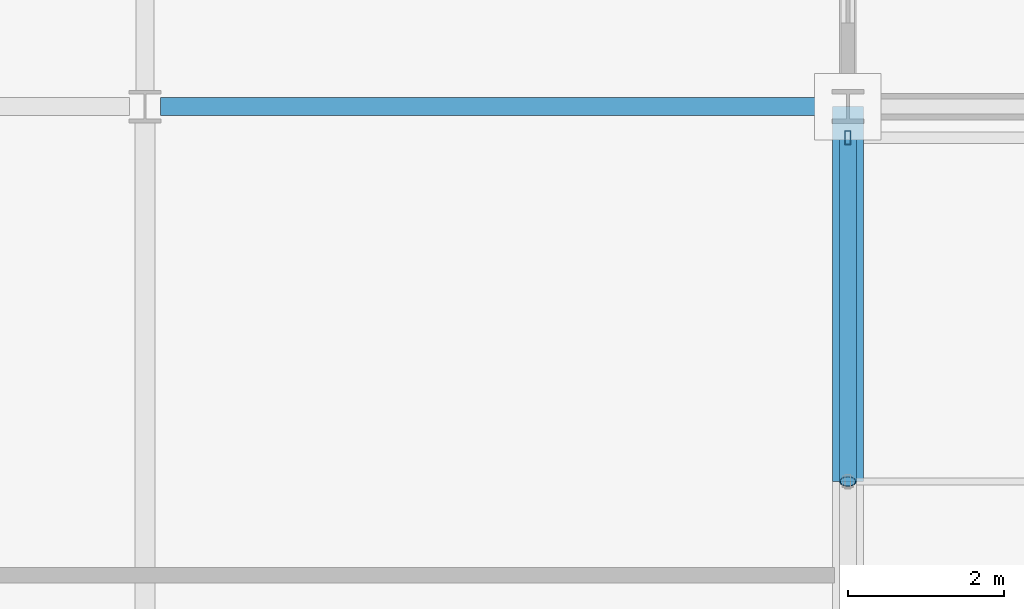
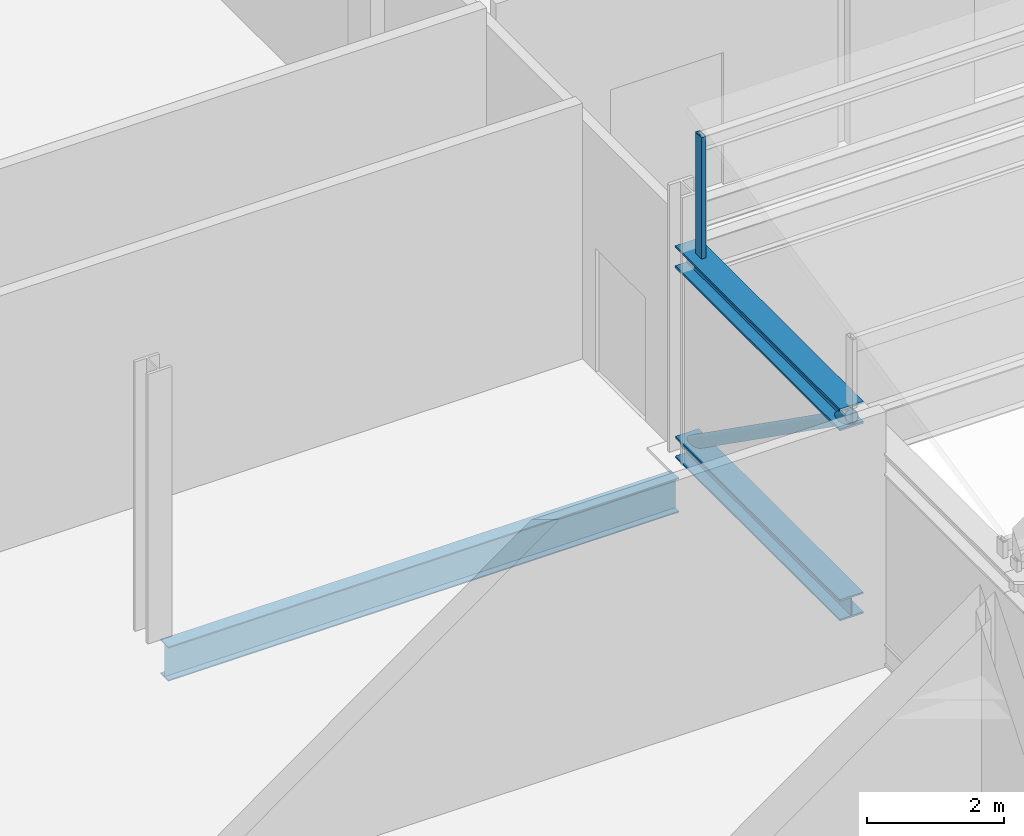
# One storey, part 44 of 136: 3 beams, 2 members.
"""IFC4 building model written with IfcOpenShell, lengths in metres."""

from ifc_helpers import new_model, si_unit, direction, frame, origin, origin_2d, place, context, subcontext, project, spatial, hollow_rectangle, hollow_circle, i_section, extrude, material, material_profile, profile_set, type_object, element, save


model = new_model("IFC4")

# Units and contexts
model_context = context("Model", 3, precision=1e-05, world=origin(), true_north=direction((0.0, 1.0)))
body_context = subcontext(model_context, "Body", "Model", "MODEL_VIEW")
ifc_project = project(units=[si_unit("LENGTHUNIT", "METRE"), si_unit("AREAUNIT", "SQUARE_METRE"), si_unit("VOLUMEUNIT", "CUBIC_METRE"), si_unit("PLANEANGLEUNIT", "RADIAN"), si_unit("MASSUNIT", "GRAM", prefix="KILO")], contexts=[model_context])

# Site, building, storey
site_placement = place(None, origin())
site = spatial("IfcSite", under=ifc_project, at=site_placement, CompositionType="ELEMENT")
building_placement = place(site_placement, origin())
building = spatial("IfcBuilding", under=site, at=building_placement, Name="Kisiwana Market Hall", CompositionType="ELEMENT")
storey_placement = place(building_placement, frame((0.0, 0.0, 16.800048828125)))
storey = spatial("IfcBuildingStorey", under=building, at=storey_placement, Name="L03", CompositionType="ELEMENT", Elevation=16.800048828125)

# Beams
ifc_material_1 = material(Name="Steel S355", Category="steel")
ifc_material_profile_1 = material_profile(ifc_material_1, i_section(OverallWidth=0.22900390625, OverallDepth=0.6123046875, WebThickness=0.011962890625, FlangeThickness=0.01953125, at=origin_2d()), Name="UB 610x229x125")
ifc_profile_set_1 = profile_set([ifc_material_profile_1], Name="Steel S355")
beam_type_1 = type_object("IfcBeamType", Name="BM-GIRD-UB610H", PredefinedType="BEAM", material=ifc_profile_set_1)
beam_1_placement = place(storey_placement, frame((36.198974609375, 84.0, -0.55615234375), z_axis=(1.0, 0.0, 0.0), x_axis=(0.0, 1.0, 0.0)))
element("IfcBeam", 1, at=beam_1_placement, inside=storey, type_object=beam_type_1, Name="Floor beam B-1028", PredefinedType="BEAM", context=body_context, shape_type="SweptSolid", body=[
    extrude(i_section(OverallWidth=0.22900390625, OverallDepth=0.6123046875, WebThickness=0.011962890625, FlangeThickness=0.01953125, at=origin_2d()), origin(), (0.0, 0.0, 1.0), 8.59912109375),
])
ifc_material_2 = material(Name="Steel S355", Category="steel")
ifc_material_profile_2 = material_profile(ifc_material_2, i_section(OverallWidth=0.394775390625, OverallDepth=0.381103515625, WebThickness=0.018310546875, FlangeThickness=0.0302734375, at=origin_2d()), Name="UC 356x406x235")
ifc_profile_set_2 = profile_set([ifc_material_profile_2], Name="Steel S355")
beam_type_2 = type_object("IfcBeamType", Name="BM-TRUSS-BOT", PredefinedType="USERDEFINED", material=ifc_profile_set_2)
beam_2_placement = place(storey_placement, frame((45.0, 79.199951171875, 0.22998046875), z_axis=(0.0, 1.0, 0.0), x_axis=(-1.0, 0.0, 0.0)))
element("IfcBeam", 2, at=beam_2_placement, inside=storey, type_object=beam_type_2, Name="TR-01 BC panel 10 B-1178", ObjectType="ROOF TRUSS", PredefinedType="USERDEFINED", context=body_context, shape_type="SweptSolid", body=[
    extrude(i_section(OverallWidth=0.394775390625, OverallDepth=0.381103515625, WebThickness=0.018310546875, FlangeThickness=0.0302734375, at=origin_2d()), origin(), (0.0, 0.0, 1.0), 4.800048828125),
])
ifc_material_3 = material(Name="Steel S355", Category="steel")
ifc_material_profile_3 = material_profile(ifc_material_3, i_section(OverallWidth=0.39892578125, OverallDepth=0.3935546875, WebThickness=0.022705078125, FlangeThickness=0.03662109375, at=origin_2d()), Name="UC 356x406x287")
ifc_profile_set_3 = profile_set([ifc_material_profile_3], Name="Steel S355")
beam_type_3 = type_object("IfcBeamType", Name="BM-TRUSS-TOP", PredefinedType="USERDEFINED", material=ifc_profile_set_3)
beam_3_placement = place(storey_placement, frame((45.0, 79.199951171875, 3.619873046875), z_axis=(0.0, 1.0, 0.0), x_axis=(-1.0, 0.0, 0.0)))
element("IfcBeam", 3, at=beam_3_placement, inside=storey, type_object=beam_type_3, Name="TR-01 TC panel 10 B-1188", ObjectType="ROOF TRUSS", PredefinedType="USERDEFINED", context=body_context, shape_type="SweptSolid", body=[
    extrude(i_section(OverallWidth=0.39892578125, OverallDepth=0.3935546875, WebThickness=0.022705078125, FlangeThickness=0.03662109375, at=origin_2d()), origin(), (0.0, 0.0, 1.0), 4.800048828125),
])

# Members
ifc_material_4 = material(Name="Steel S355", Category="steel")
ifc_material_profile_4 = material_profile(ifc_material_4, hollow_rectangle(XDim=0.080078125, YDim=0.179931640625, WallThickness=0.00634765625, at=origin_2d()), Name="RHS 180x80x6.3")
ifc_profile_set_4 = profile_set([ifc_material_profile_4], Name="Steel S355")
member_type_1 = type_object("IfcMemberType", Name="MB-CAN-STRUT", PredefinedType="STRUT", material=ifc_profile_set_4)
member_1_placement = place(storey_placement, frame((45.0, 83.60009765625, 3.619873046875), z_axis=(0.0, 0.0, 1.0), x_axis=(1.0, 0.0, 0.0)))
element("IfcMember", 4, at=member_1_placement, inside=storey, type_object=member_type_1, Name="Sawtooth raker post 334 M-0321", PredefinedType="STRUT", context=body_context, shape_type="SweptSolid", body=[
    extrude(hollow_rectangle(XDim=0.080078125, YDim=0.179931640625, WallThickness=0.00634765625, at=origin_2d()), origin(), (0.0, 0.0, 1.0), 2.355712890625),
])
ifc_material_5 = material(Name="Steel S355", Category="steel")
ifc_material_profile_5 = material_profile(ifc_material_5, hollow_circle(Radius=0.109619140625, WallThickness=0.012451171875, at=origin_2d()), Name="CHS 219.1x12.5")
ifc_profile_set_5 = profile_set([ifc_material_profile_5], Name="Steel S355")
member_type_2 = type_object("IfcMemberType", Name="MB-TR-DIAG219", PredefinedType="BRACE", material=ifc_profile_set_5)
member_2_placement = place(storey_placement, frame((45.0, 79.199951171875, 3.619873046875), z_axis=(0.0, 0.816837735077, -0.576867501732), x_axis=(-1.0, 0.0, 0.0)))
element("IfcMember", 5, at=member_2_placement, inside=storey, type_object=member_type_2, Name="TR-01 diagonal 10 M-0337", PredefinedType="BRACE", context=body_context, shape_type="SweptSolid", body=[
    extrude(hollow_circle(Radius=0.109619140625, WallThickness=0.012451171875, at=origin_2d()), origin(), (0.0, 0.0, 1.0), 5.87646484375),
])

save(model, "model.ifc")
